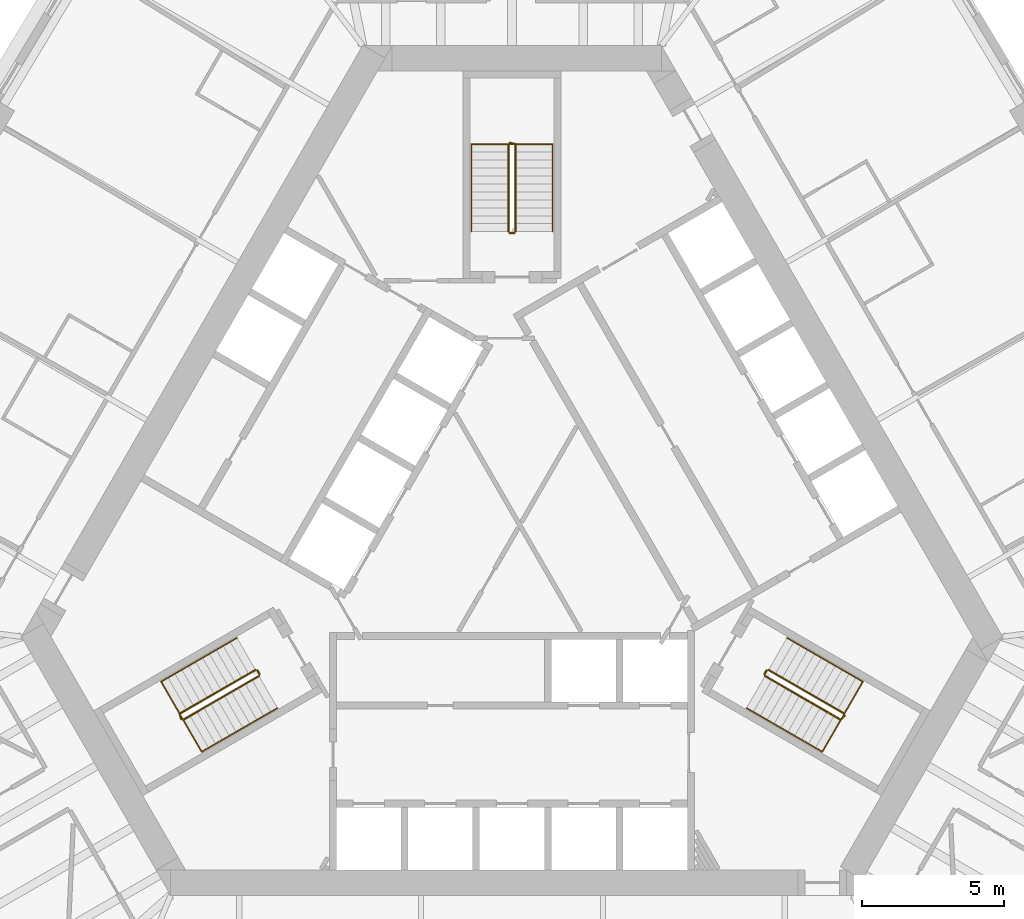
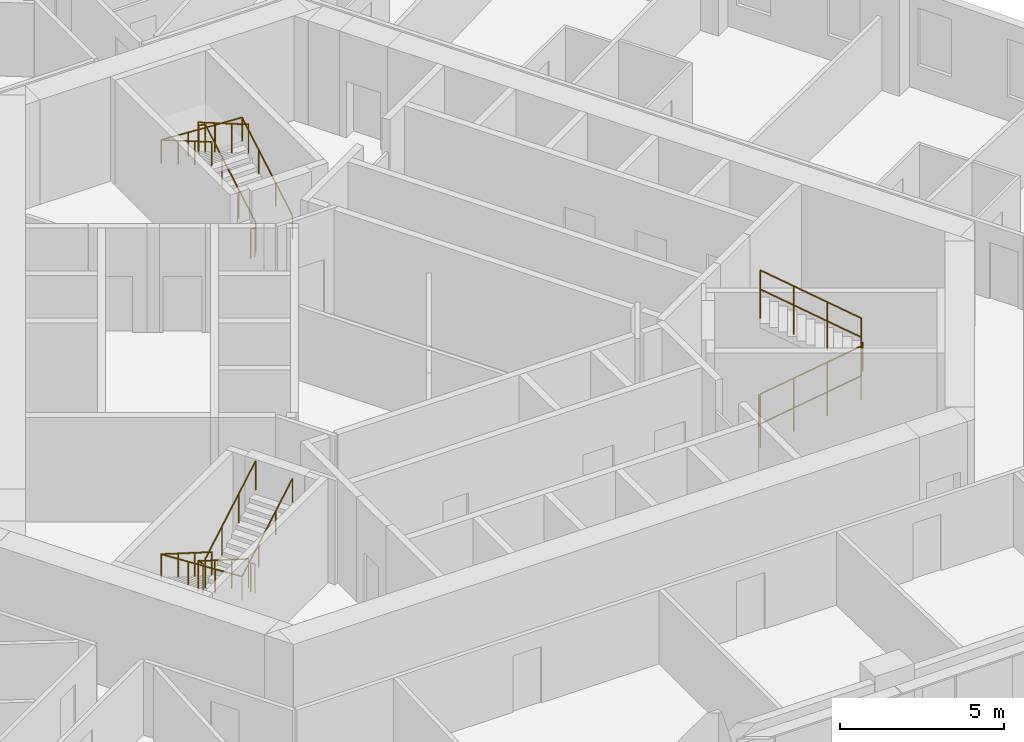
# One storey, part 12 of 12: 12 railings.
"""IFC4 building model written with IfcOpenShell, lengths in metres."""

from ifc_helpers import new_model, si_unit, direction, frame, origin, origin_2d, place, context, subcontext, project, spatial, circle, extrude, material, type_object, element, save


model = new_model("IFC4")

# Units and contexts
model_context = context("Model", 3, precision=1e-05, world=origin(), true_north=direction((0.0, 1.0)))
body_context = subcontext(model_context, "Body", "Model", "MODEL_VIEW")
ifc_project = project(units=[si_unit("LENGTHUNIT", "METRE"), si_unit("AREAUNIT", "SQUARE_METRE"), si_unit("VOLUMEUNIT", "CUBIC_METRE"), si_unit("PLANEANGLEUNIT", "RADIAN"), si_unit("MASSUNIT", "GRAM", prefix="KILO")], contexts=[model_context])

# Site, building, storey
site_placement = place(None, origin())
site = spatial("IfcSite", under=ifc_project, at=site_placement, CompositionType="ELEMENT")
building_placement = place(site_placement, origin())
building = spatial("IfcBuilding", under=site, at=building_placement, Name="Mestral Congress Tower", CompositionType="ELEMENT")
storey_placement = place(building_placement, frame((0.0, 0.0, 43.199951171875)))
storey = spatial("IfcBuildingStorey", under=building, at=storey_placement, Name="L09", CompositionType="ELEMENT", Elevation=43.199951171875)

# Railings
ifc_material_1 = material(Name="Steel balustrade", Category="steel")
railing_type_1 = type_object("IfcRailingType", Name="Stair guard 1100", PredefinedType="GUARDRAIL", material=ifc_material_1)
railing_1_placement = place(storey_placement, frame((8.90087890625, -5.283203125, 0.16259765625)))
element("IfcRailing", 1, at=railing_1_placement, inside=storey, type_object=railing_type_1, Name="L09 ST1 stair guard 1", PredefinedType="GUARDRAIL", context=body_context, shape_type="SweptSolid", body=[
    extrude(circle(Radius=0.02392578125, at=origin_2d()), frame((0.0, 0.0, 1.076171875), z_axis=(0.749019742845, -0.432477486304, 0.501928927906), x_axis=(0.500026652407, 0.866010015463, 0.0)), (0.0, 0.0, 1.0), 3.56103515625),
    extrude(circle(Radius=0.02392578125, at=origin_2d()), frame((2.667236328125, -1.5400390625, 2.86328125), z_axis=(0.695164929852, 0.718850276695, 0.0), x_axis=(-0.718850276695, 0.695164929852, 0.0)), (0.0, 0.0, 1.0), 0.2060546875),
    extrude(circle(Radius=0.02099609375, at=origin_2d()), origin(), (0.0, 0.0, 1.0), 1.052001953125),
    extrude(circle(Radius=0.02099609375, at=origin_2d()), frame((0.88916015625, -0.513427734375, 0.595703125)), (0.0, 0.0, 1.0), 1.052001953125),
    extrude(circle(Radius=0.02099609375, at=origin_2d()), frame((1.778076171875, -1.026611328125, 1.191650390625)), (0.0, 0.0, 1.0), 1.052001953125),
    extrude(circle(Radius=0.02099609375, at=origin_2d()), frame((2.667236328125, -1.5400390625, 1.787353515625)), (0.0, 0.0, 1.0), 1.052001953125),
    extrude(circle(Radius=0.02099609375, at=origin_2d()), frame((2.810546875, -1.391845703125, 1.787353515625)), (0.0, 0.0, 1.0), 1.052001953125),
])
railing_2_placement = place(storey_placement, frame((11.693115234375, -6.606689453125, 2.112548828125)))
element("IfcRailing", 2, at=railing_2_placement, inside=storey, type_object=railing_type_1, Name="L09 ST1 stair guard 2", PredefinedType="GUARDRAIL", context=body_context, shape_type="SweptSolid", body=[
    extrude(circle(Radius=0.02392578125, at=origin_2d()), frame((0.0, 0.0, 1.076171875), z_axis=(-0.748993966903, 0.432462603499, 0.501980212875), x_axis=(-0.500026652407, -0.866010015463, 0.0)), (0.0, 0.0, 1.0), 3.56103515625),
    extrude(circle(Radius=0.02099609375, at=origin_2d()), origin(), (0.0, 0.0, 1.0), 1.052001953125),
    extrude(circle(Radius=0.02099609375, at=origin_2d()), frame((-0.88916015625, 0.513427734375, 0.595947265625)), (0.0, 0.0, 1.0), 1.052001953125),
    extrude(circle(Radius=0.02099609375, at=origin_2d()), frame((-1.778076171875, 1.026611328125, 1.191650390625)), (0.0, 0.0, 1.0), 1.052001953125),
    extrude(circle(Radius=0.02099609375, at=origin_2d()), frame((-2.667236328125, 1.5400390625, 1.78759765625)), (0.0, 0.0, 1.0), 1.052001953125),
])
railing_3_placement = place(storey_placement, frame((8.882568359375, -5.21484375, 0.0)))
element("IfcRailing", 3, at=railing_3_placement, inside=storey, type_object=railing_type_1, Name="L09 ST1 stair guard 3", PredefinedType="GUARDRAIL", context=body_context, shape_type="SweptSolid", body=[
    extrude(circle(Radius=0.02392578125, at=origin_2d()), frame((0.0, 0.0, 1.076171875), z_axis=(0.499816412211, 0.866131372301, 0.0), x_axis=(-0.866131372301, 0.499816412211, 0.0)), (0.0, 0.0, 1.0), 0.14990234375),
    extrude(circle(Radius=0.02099609375, at=origin_2d()), origin(), (0.0, 0.0, 1.0), 1.052001953125),
    extrude(circle(Radius=0.02099609375, at=origin_2d()), frame((0.074951171875, 0.1298828125, 0.0)), (0.0, 0.0, 1.0), 1.052001953125),
])
railing_4_placement = place(storey_placement, frame((0.125, 10.35009765625, 0.16259765625)))
element("IfcRailing", 4, at=railing_4_placement, inside=storey, type_object=railing_type_1, Name="L09 ST2 stair guard 1", PredefinedType="GUARDRAIL", context=body_context, shape_type="SweptSolid", body=[
    extrude(circle(Radius=0.02392578125, at=origin_2d()), frame((0.0, 0.0, 1.076171875), z_axis=(0.0, 0.864903211148, 0.501938676878), x_axis=(-1.0, 0.0, 0.0)), (0.0, 0.0, 1.0), 3.560791015625),
    extrude(circle(Radius=0.02392578125, at=origin_2d()), frame((0.0, 3.079833984375, 2.86328125), z_axis=(-0.970072785993, 0.242814311512, 0.0), x_axis=(-0.242814311512, -0.970072785993, 0.0)), (0.0, 0.0, 1.0), 0.2060546875),
    extrude(circle(Radius=0.02099609375, at=origin_2d()), origin(), (0.0, 0.0, 1.0), 1.052001953125),
    extrude(circle(Radius=0.02099609375, at=origin_2d()), frame((0.0, 1.026611328125, 0.595703125)), (0.0, 0.0, 1.0), 1.052001953125),
    extrude(circle(Radius=0.02099609375, at=origin_2d()), frame((0.0, 2.05322265625, 1.191650390625)), (0.0, 0.0, 1.0), 1.052001953125),
    extrude(circle(Radius=0.02099609375, at=origin_2d()), frame((0.0, 3.079833984375, 1.787353515625)), (0.0, 0.0, 1.0), 1.052001953125),
    extrude(circle(Radius=0.02099609375, at=origin_2d()), frame((-0.199951171875, 3.1298828125, 1.787353515625)), (0.0, 0.0, 1.0), 1.052001953125),
])
railing_5_placement = place(storey_placement, frame((-0.125, 13.429931640625, 2.112548828125)))
element("IfcRailing", 5, at=railing_5_placement, inside=storey, type_object=railing_type_1, Name="L09 ST2 stair guard 2", PredefinedType="GUARDRAIL", context=body_context, shape_type="SweptSolid", body=[
    extrude(circle(Radius=0.02392578125, at=origin_2d()), frame((0.0, 0.0, 1.076171875), z_axis=(0.0, -0.864873446163, 0.501989962173), x_axis=(1.0, 0.0, 0.0)), (0.0, 0.0, 1.0), 3.56103515625),
    extrude(circle(Radius=0.02099609375, at=origin_2d()), origin(), (0.0, 0.0, 1.0), 1.052001953125),
    extrude(circle(Radius=0.02099609375, at=origin_2d()), frame((0.0, -1.026611328125, 0.595947265625)), (0.0, 0.0, 1.0), 1.052001953125),
    extrude(circle(Radius=0.02099609375, at=origin_2d()), frame((0.0, -2.05322265625, 1.191650390625)), (0.0, 0.0, 1.0), 1.052001953125),
    extrude(circle(Radius=0.02099609375, at=origin_2d()), frame((0.0, -3.079833984375, 1.78759765625)), (0.0, 0.0, 1.0), 1.052001953125),
])
railing_6_placement = place(storey_placement, frame((0.074951171875, 10.300048828125, 0.0)))
element("IfcRailing", 6, at=railing_6_placement, inside=storey, type_object=railing_type_1, Name="L09 ST2 stair guard 3", PredefinedType="GUARDRAIL", context=body_context, shape_type="SweptSolid", body=[
    extrude(circle(Radius=0.02392578125, at=origin_2d()), frame((0.0, 0.0, 1.076171875), z_axis=(-1.0, 0.0, 0.0), x_axis=(0.0, -1.0, 0.0)), (0.0, 0.0, 1.0), 0.14990234375),
    extrude(circle(Radius=0.02099609375, at=origin_2d()), origin(), (0.0, 0.0, 1.0), 1.052001953125),
    extrude(circle(Radius=0.02099609375, at=origin_2d()), frame((-0.14990234375, 0.0, 0.0)), (0.0, 0.0, 1.0), 1.052001953125),
])
railing_7_placement = place(storey_placement, frame((-9.02587890625, -5.066650390625, 0.16259765625)))
element("IfcRailing", 7, at=railing_7_placement, inside=storey, type_object=railing_type_1, Name="L09 ST3 stair guard 1", PredefinedType="GUARDRAIL", context=body_context, shape_type="SweptSolid", body=[
    extrude(circle(Radius=0.02392578125, at=origin_2d()), frame((0.0, 0.0, 1.076171875), z_axis=(-0.749019742845, -0.432477486304, 0.501928927906), x_axis=(0.500026652407, -0.866010015463, 0.0)), (0.0, 0.0, 1.0), 3.56103515625),
    extrude(circle(Radius=0.02392578125, at=origin_2d()), frame((-2.667236328125, -1.5400390625, 2.86328125), z_axis=(0.274721127897, -0.961523947641, 0.0), x_axis=(0.961523947641, 0.274721127897, 0.0)), (0.0, 0.0, 1.0), 0.2060546875),
    extrude(circle(Radius=0.02099609375, at=origin_2d()), origin(), (0.0, 0.0, 1.0), 1.052001953125),
    extrude(circle(Radius=0.02099609375, at=origin_2d()), frame((-0.88916015625, -0.513427734375, 0.595703125)), (0.0, 0.0, 1.0), 1.052001953125),
    extrude(circle(Radius=0.02099609375, at=origin_2d()), frame((-1.778076171875, -1.026611328125, 1.191650390625)), (0.0, 0.0, 1.0), 1.052001953125),
    extrude(circle(Radius=0.02099609375, at=origin_2d()), frame((-2.667236328125, -1.5400390625, 1.787353515625)), (0.0, 0.0, 1.0), 1.052001953125),
    extrude(circle(Radius=0.02099609375, at=origin_2d()), frame((-2.610595703125, -1.73828125, 1.787353515625)), (0.0, 0.0, 1.0), 1.052001953125),
])
railing_8_placement = place(storey_placement, frame((-11.568115234375, -6.8232421875, 2.112548828125)))
element("IfcRailing", 8, at=railing_8_placement, inside=storey, type_object=railing_type_1, Name="L09 ST3 stair guard 2", PredefinedType="GUARDRAIL", context=body_context, shape_type="SweptSolid", body=[
    extrude(circle(Radius=0.02392578125, at=origin_2d()), frame((0.0, 0.0, 1.076171875), z_axis=(0.748993966903, 0.432462603499, 0.501980212875), x_axis=(-0.500026652407, 0.866010015463, 0.0)), (0.0, 0.0, 1.0), 3.56103515625),
    extrude(circle(Radius=0.02099609375, at=origin_2d()), origin(), (0.0, 0.0, 1.0), 1.052001953125),
    extrude(circle(Radius=0.02099609375, at=origin_2d()), frame((0.88916015625, 0.513427734375, 0.595947265625)), (0.0, 0.0, 1.0), 1.052001953125),
    extrude(circle(Radius=0.02099609375, at=origin_2d()), frame((1.778076171875, 1.026611328125, 1.191650390625)), (0.0, 0.0, 1.0), 1.052001953125),
    extrude(circle(Radius=0.02099609375, at=origin_2d()), frame((2.667236328125, 1.5400390625, 1.78759765625)), (0.0, 0.0, 1.0), 1.052001953125),
])
railing_9_placement = place(storey_placement, frame((-8.95751953125, -5.0849609375, 0.0)))
element("IfcRailing", 9, at=railing_9_placement, inside=storey, type_object=railing_type_1, Name="L09 ST3 stair guard 3", PredefinedType="GUARDRAIL", context=body_context, shape_type="SweptSolid", body=[
    extrude(circle(Radius=0.02392578125, at=origin_2d()), frame((0.0, 0.0, 1.076171875), z_axis=(0.499816412211, -0.866131372301, 0.0), x_axis=(0.866131372301, 0.499816412211, 0.0)), (0.0, 0.0, 1.0), 0.14990234375),
    extrude(circle(Radius=0.02099609375, at=origin_2d()), origin(), (0.0, 0.0, 1.0), 1.052001953125),
    extrude(circle(Radius=0.02099609375, at=origin_2d()), frame((0.074951171875, -0.1298828125, 0.0)), (0.0, 0.0, 1.0), 1.052001953125),
])
ifc_material_2 = material(Name="Steel handrail", Category="steel")
railing_type_2 = type_object("IfcRailingType", Name="Stair handrail 900", PredefinedType="HANDRAIL", material=ifc_material_2)
railing_10_placement = place(storey_placement, frame((8.2509765625, -6.4091796875, 0.16259765625)))
element("IfcRailing", 10, at=railing_10_placement, inside=storey, type_object=railing_type_2, Name="L09 ST1 stair handrail 1", PredefinedType="HANDRAIL", context=body_context, shape_type="SweptSolid", body=[
    extrude(circle(Radius=0.02392578125, at=origin_2d()), frame((0.0, 0.0, 0.8759765625), z_axis=(0.749041951051, -0.432421746936, 0.501943809945), x_axis=(0.499967199496, 0.866044340336, 0.0)), (0.0, 0.0, 1.0), 3.560791015625),
    extrude(circle(Radius=0.02392578125, at=origin_2d()), frame((2.667236328125, -1.539794921875, 2.6630859375), z_axis=(0.499224505807, 0.864598343191, 0.056961370716), x_axis=(-0.866004402611, 0.500036373335, 0.0)), (0.0, 0.0, 1.0), 2.8544921875),
    extrude(circle(Radius=0.02392578125, at=origin_2d()), frame((4.09228515625, 0.92822265625, 2.82568359375), z_axis=(-0.74902406201, 0.432440397507, 0.501954437309), x_axis=(-0.499992328818, -0.866029832698, 0.0)), (0.0, 0.0, 1.0), 3.561279296875),
    extrude(circle(Radius=0.02099609375, at=origin_2d()), origin(), (0.0, 0.0, 1.0), 0.851806640625),
    extrude(circle(Radius=0.02099609375, at=origin_2d()), frame((0.88916015625, -0.51318359375, 0.595703125)), (0.0, 0.0, 1.0), 0.851806640625),
    extrude(circle(Radius=0.02099609375, at=origin_2d()), frame((1.778076171875, -1.026611328125, 1.191650390625)), (0.0, 0.0, 1.0), 0.851806640625),
    extrude(circle(Radius=0.02099609375, at=origin_2d()), frame((2.667236328125, -1.539794921875, 1.787353515625)), (0.0, 0.0, 1.0), 0.851806640625),
    extrude(circle(Radius=0.02099609375, at=origin_2d()), frame((3.142333984375, -0.717041015625, 1.841552734375)), (0.0, 0.0, 1.0), 0.851806640625),
    extrude(circle(Radius=0.02099609375, at=origin_2d()), frame((3.6171875, 0.10546875, 1.895751953125)), (0.0, 0.0, 1.0), 0.851806640625),
    extrude(circle(Radius=0.02099609375, at=origin_2d()), frame((4.09228515625, 0.92822265625, 1.949951171875)), (0.0, 0.0, 1.0), 0.851806640625),
    extrude(circle(Radius=0.02099609375, at=origin_2d()), frame((3.203125, 1.441650390625, 2.5458984375)), (0.0, 0.0, 1.0), 0.851806640625),
    extrude(circle(Radius=0.02099609375, at=origin_2d()), frame((2.31396484375, 1.954833984375, 3.1416015625)), (0.0, 0.0, 1.0), 0.851806640625),
    extrude(circle(Radius=0.02099609375, at=origin_2d()), frame((1.4248046875, 2.46826171875, 3.737548828125)), (0.0, 0.0, 1.0), 0.851806640625),
])
railing_11_placement = place(storey_placement, frame((1.425048828125, 10.35009765625, 0.16259765625)))
element("IfcRailing", 11, at=railing_11_placement, inside=storey, type_object=railing_type_2, Name="L09 ST2 stair handrail 1", PredefinedType="HANDRAIL", context=body_context, shape_type="SweptSolid", body=[
    extrude(circle(Radius=0.02392578125, at=origin_2d()), frame((0.0, 0.0, 0.8759765625), z_axis=(0.0, 0.864903211148, 0.501938676878), x_axis=(-1.0, 0.0, 0.0)), (0.0, 0.0, 1.0), 3.560791015625),
    extrude(circle(Radius=0.02392578125, at=origin_2d()), frame((0.0, 3.079833984375, 2.6630859375), z_axis=(-0.998376618682, 0.0, 0.056957240709), x_axis=(0.0, -1.0, 0.0)), (0.0, 0.0, 1.0), 2.854736328125),
    extrude(circle(Radius=0.02392578125, at=origin_2d()), frame((-2.85009765625, 3.079833984375, 2.82568359375), z_axis=(0.0, -0.864873446163, 0.501989962173), x_axis=(1.0, 0.0, 0.0)), (0.0, 0.0, 1.0), 3.56103515625),
    extrude(circle(Radius=0.02099609375, at=origin_2d()), origin(), (0.0, 0.0, 1.0), 0.851806640625),
    extrude(circle(Radius=0.02099609375, at=origin_2d()), frame((0.0, 1.026611328125, 0.595703125)), (0.0, 0.0, 1.0), 0.851806640625),
    extrude(circle(Radius=0.02099609375, at=origin_2d()), frame((0.0, 2.05322265625, 1.191650390625)), (0.0, 0.0, 1.0), 0.851806640625),
    extrude(circle(Radius=0.02099609375, at=origin_2d()), frame((0.0, 3.079833984375, 1.787353515625)), (0.0, 0.0, 1.0), 0.851806640625),
    extrude(circle(Radius=0.02099609375, at=origin_2d()), frame((-0.949951171875, 3.079833984375, 1.841552734375)), (0.0, 0.0, 1.0), 0.851806640625),
    extrude(circle(Radius=0.02099609375, at=origin_2d()), frame((-1.900146484375, 3.079833984375, 1.895751953125)), (0.0, 0.0, 1.0), 0.851806640625),
    extrude(circle(Radius=0.02099609375, at=origin_2d()), frame((-2.85009765625, 3.079833984375, 1.949951171875)), (0.0, 0.0, 1.0), 0.851806640625),
    extrude(circle(Radius=0.02099609375, at=origin_2d()), frame((-2.85009765625, 2.05322265625, 2.5458984375)), (0.0, 0.0, 1.0), 0.851806640625),
    extrude(circle(Radius=0.02099609375, at=origin_2d()), frame((-2.85009765625, 1.026611328125, 3.1416015625)), (0.0, 0.0, 1.0), 0.851806640625),
    extrude(circle(Radius=0.02099609375, at=origin_2d()), frame((-2.85009765625, 0.0, 3.737548828125)), (0.0, 0.0, 1.0), 0.851806640625),
])
railing_12_placement = place(storey_placement, frame((-9.67578125, -3.94091796875, 0.16259765625)))
element("IfcRailing", 12, at=railing_12_placement, inside=storey, type_object=railing_type_2, Name="L09 ST3 stair handrail 1", PredefinedType="HANDRAIL", context=body_context, shape_type="SweptSolid", body=[
    extrude(circle(Radius=0.02392578125, at=origin_2d()), frame((0.0, 0.0, 0.8759765625), z_axis=(-0.749049836341, -0.432455278019, 0.501903153199), x_axis=(0.499992328818, -0.866029832698, 0.0)), (0.0, 0.0, 1.0), 3.56103515625),
    extrude(circle(Radius=0.02392578125, at=origin_2d()), frame((-2.66748046875, -1.5400390625, 2.6630859375), z_axis=(0.499224505807, -0.864598343191, 0.056961370716), x_axis=(0.866004402611, 0.500036373335, 0.0)), (0.0, 0.0, 1.0), 2.8544921875),
    extrude(circle(Radius=0.02392578125, at=origin_2d()), frame((-1.242431640625, -4.008056640625, 2.82568359375), z_axis=(0.749016172816, 0.432406865167, 0.50199509541), x_axis=(-0.499967199496, 0.866044340336, 0.0)), (0.0, 0.0, 1.0), 3.56103515625),
    extrude(circle(Radius=0.02099609375, at=origin_2d()), origin(), (0.0, 0.0, 1.0), 0.851806640625),
    extrude(circle(Radius=0.02099609375, at=origin_2d()), frame((-0.88916015625, -0.513427734375, 0.595703125)), (0.0, 0.0, 1.0), 0.851806640625),
    extrude(circle(Radius=0.02099609375, at=origin_2d()), frame((-1.7783203125, -1.026611328125, 1.191650390625)), (0.0, 0.0, 1.0), 0.851806640625),
    extrude(circle(Radius=0.02099609375, at=origin_2d()), frame((-2.66748046875, -1.5400390625, 1.787353515625)), (0.0, 0.0, 1.0), 0.851806640625),
    extrude(circle(Radius=0.02099609375, at=origin_2d()), frame((-2.1923828125, -2.36279296875, 1.841552734375)), (0.0, 0.0, 1.0), 0.851806640625),
    extrude(circle(Radius=0.02099609375, at=origin_2d()), frame((-1.717529296875, -3.185302734375, 1.895751953125)), (0.0, 0.0, 1.0), 0.851806640625),
    extrude(circle(Radius=0.02099609375, at=origin_2d()), frame((-1.242431640625, -4.008056640625, 1.949951171875)), (0.0, 0.0, 1.0), 0.851806640625),
    extrude(circle(Radius=0.02099609375, at=origin_2d()), frame((-0.353271484375, -3.494873046875, 2.5458984375)), (0.0, 0.0, 1.0), 0.851806640625),
    extrude(circle(Radius=0.02099609375, at=origin_2d()), frame((0.53564453125, -2.9814453125, 3.1416015625)), (0.0, 0.0, 1.0), 0.851806640625),
    extrude(circle(Radius=0.02099609375, at=origin_2d()), frame((1.4248046875, -2.46826171875, 3.737548828125)), (0.0, 0.0, 1.0), 0.851806640625),
])

save(model, "model.ifc")
